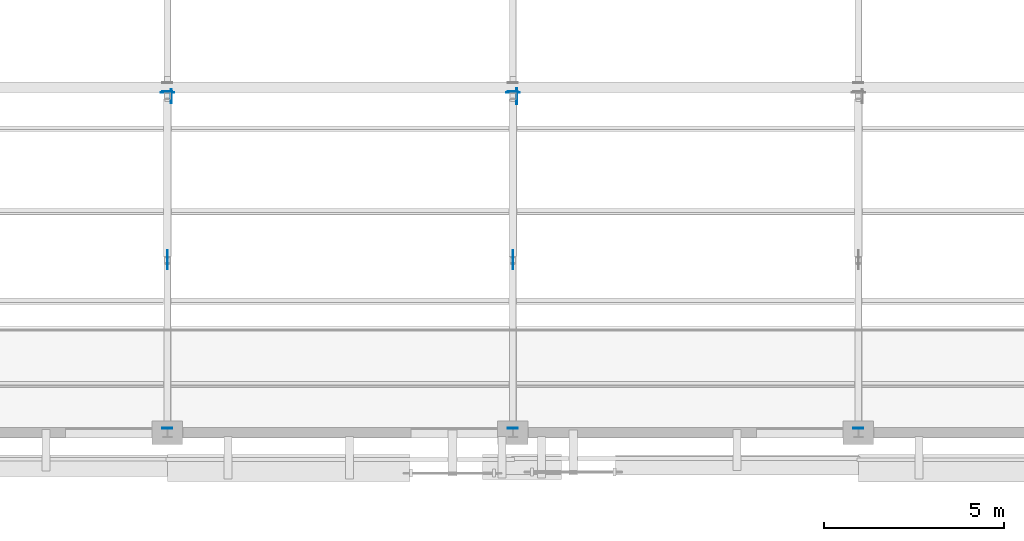
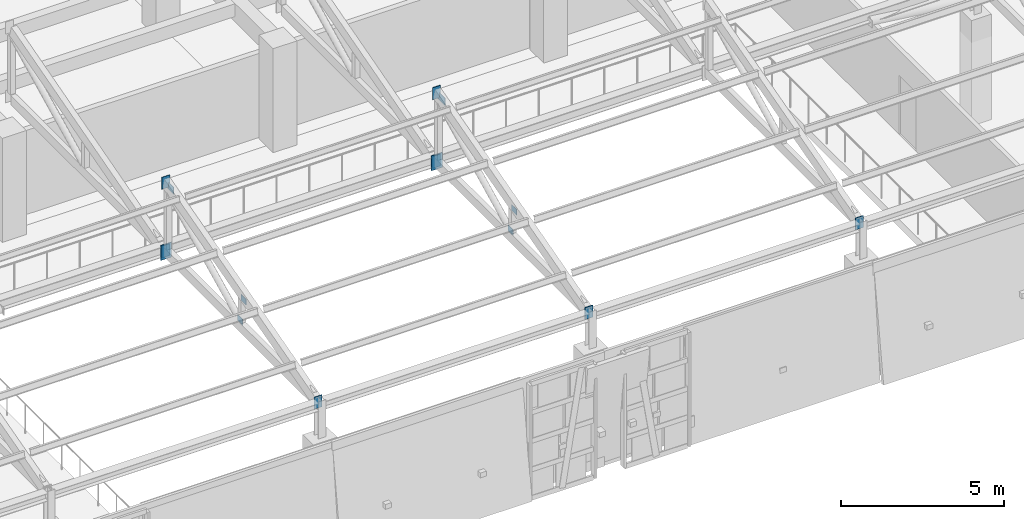
# One storey, part 39 of 58: 15 plates.
"""IFC4 building model written with IfcOpenShell, lengths in metres."""

from ifc_helpers import new_model, si_unit, direction, frame, origin, origin_2d, place, context, subcontext, project, spatial, rectangle, extrude, material, layer, layer_set, type_object, element, save


model = new_model("IFC4")

# Units and contexts
model_context = context("Model", 3, precision=1e-05, world=origin(), true_north=direction((0.0, 1.0)))
body_context = subcontext(model_context, "Body", "Model", "MODEL_VIEW")
ifc_project = project(units=[si_unit("LENGTHUNIT", "METRE"), si_unit("AREAUNIT", "SQUARE_METRE"), si_unit("VOLUMEUNIT", "CUBIC_METRE"), si_unit("PLANEANGLEUNIT", "RADIAN"), si_unit("MASSUNIT", "GRAM", prefix="KILO")], contexts=[model_context])

# Site, building, storey
site_placement = place(None, origin())
site = spatial("IfcSite", under=ifc_project, at=site_placement, CompositionType="ELEMENT")
building_placement = place(site_placement, origin())
building = spatial("IfcBuilding", under=site, at=building_placement, Name="Bempovik Park Faculty of Sciences", CompositionType="ELEMENT")
storey_placement = place(building_placement, frame((0.0, 0.0, 18.300048828125)))
storey = spatial("IfcBuildingStorey", under=building, at=storey_placement, Name="L04", CompositionType="ELEMENT", Elevation=18.300048828125)

# Plates
ifc_material = material(Name="Steel S355", Category="steel")
ifc_layer_1 = layer(ifc_material, 0.02392578125)
ifc_layer_set_1 = layer_set([ifc_layer_1], Name="Steel S355")
plate_type_1 = type_object("IfcPlateType", Name="PL-25 Steel Plate 560x380x24", PredefinedType="SHEET", material=ifc_layer_set_1)
for number, where, z_axis, x_axis, name in (
    (1, (79.199951171875, 77.251953125, 4.89990234375), (0.0, 0.0, 1.0), (1.0, 0.0, 0.0), "V2 Sawtooth Bottom Chord End Cap (79.2)"),
    (2, (88.800048828125, 77.251953125, 4.89990234375), (0.0, 0.0, 1.0), (1.0, 0.0, 0.0), "V2 Sawtooth Bottom Chord End Cap (88.8)"),
):
    element("IfcPlate", number, at=place(storey_placement, frame(where, z_axis=z_axis, x_axis=x_axis)), inside=storey, type_object=plate_type_1, Name=name, PredefinedType="SHEET", context=body_context, shape_type="SweptSolid", body=[
        extrude(rectangle(XDim=0.3798828125, YDim=0.02392578125, at=origin_2d()), origin(), (0.0, 0.0, 1.0), 0.56005859375),
    ])
ifc_layer_2 = layer(ifc_material, 0.011962890625)
ifc_layer_set_2 = layer_set([ifc_layer_2], Name="Steel S355")
plate_type_2 = type_object("IfcPlateType", Name="PL-26 Steel Plate 320x220x12", PredefinedType="SHEET", material=ifc_layer_set_2)
for number, where, z_axis, x_axis, name in (
    (3, (79.199951171875, 72.4951171875, 6.138671875), (0.0, 0.0, 1.0), (1.0, 0.0, 0.0), "Brace/Strut End Gusset Plate SAW-V2-B1-D1-792-E2"),
    (4, (79.199951171875, 72.705078125, 5.2509765625), (0.0, 0.0, 1.0), (1.0, 0.0, 0.0), "Brace/Strut End Gusset Plate SAW-V2-B1-D2-792-E1"),
    (5, (88.800048828125, 72.4951171875, 6.138671875), (0.0, 0.0, 1.0), (1.0, 0.0, 0.0), "Brace/Strut End Gusset Plate SAW-V2-B1-D1-888-E2"),
    (6, (88.800048828125, 72.705078125, 5.2509765625), (0.0, 0.0, 1.0), (1.0, 0.0, 0.0), "Brace/Strut End Gusset Plate SAW-V2-B1-D2-888-E1"),
):
    element("IfcPlate", number, at=place(storey_placement, frame(where, z_axis=z_axis, x_axis=x_axis)), inside=storey, type_object=plate_type_2, Name=name, PredefinedType="SHEET", context=body_context, shape_type="SweptSolid", body=[
        extrude(rectangle(XDim=0.011962890625, YDim=0.320068359375, at=origin_2d()), origin(), (0.0, 0.0, 1.0), 0.219970703125),
    ])
ifc_layer_3 = layer(ifc_material, 0.02001953125)
ifc_layer_set_3 = layer_set([ifc_layer_3], Name="Steel S355")
plate_type_3 = type_object("IfcPlateType", Name="PL-36 Steel Plate 450x280x20", PredefinedType="USERDEFINED", material=ifc_layer_set_3)
for number, where, z_axis, x_axis, name in (
    (7, (79.199951171875, 77.278076171875, 7.52978515625), (0.0, 0.0, 1.0), (1.0, 0.0, 0.0), "Atrium Sawtooth Rafter End Cap V2-B1-79.2"),
    (8, (79.199951171875, 67.922119140625, 4.95751953125), (0.0, 0.0, 1.0), (1.0, 0.0, 0.0), "Atrium Sawtooth Valley Rafter End Cap V2-B1-79.2"),
    (9, (79.199951171875, 77.278076171875, 4.955078125), (0.0, 0.0, 1.0), (1.0, 0.0, 0.0), "Atrium Sawtooth Bottom Chord End Cap V2-B1-79.2"),
):
    element("IfcPlate", number, at=place(storey_placement, frame(where, z_axis=z_axis, x_axis=x_axis)), inside=storey, type_object=plate_type_3, Name=name, ObjectType="STIFFENER PLATE", PredefinedType="USERDEFINED", context=body_context, shape_type="SweptSolid", body=[
        extrude(rectangle(XDim=0.280029296875, YDim=0.02001953125, at=origin_2d()), origin(), (0.0, 0.0, 1.0), 0.449951171875),
    ])
plate_1_placement = place(storey_placement, frame((88.907958984375, 77.14990234375, 7.4345703125), z_axis=(0.0, 0.0, 1.0), x_axis=(1.0, 0.0, 0.0)))
element("IfcPlate", 10, at=plate_1_placement, inside=storey, type_object=plate_type_3, Name="Sawtooth Ridge Gusset Plate V2-B1-88.8", ObjectType="STIFFENER PLATE", PredefinedType="USERDEFINED", context=body_context, shape_type="SweptSolid", body=[
    extrude(rectangle(XDim=0.02001953125, YDim=0.449951171875, at=origin_2d()), origin(), (0.0, 0.0, 1.0), 0.280029296875),
])
for number, where, z_axis, x_axis, name in (
    (11, (88.800048828125, 77.278076171875, 7.52978515625), (0.0, 0.0, 1.0), (1.0, 0.0, 0.0), "Atrium Sawtooth Rafter End Cap V2-B1-88.8"),
    (12, (88.800048828125, 67.922119140625, 4.95751953125), (0.0, 0.0, 1.0), (1.0, 0.0, 0.0), "Atrium Sawtooth Valley Rafter End Cap V2-B1-88.8"),
    (13, (88.800048828125, 77.278076171875, 4.955078125), (0.0, 0.0, 1.0), (1.0, 0.0, 0.0), "Atrium Sawtooth Bottom Chord End Cap V2-B1-88.8"),
    (14, (98.39990234375, 67.922119140625, 4.95751953125), (0.0, 0.0, 1.0), (1.0, 0.0, 0.0), "Atrium Sawtooth Valley Rafter End Cap V2-B1-98.4"),
):
    element("IfcPlate", number, at=place(storey_placement, frame(where, z_axis=z_axis, x_axis=x_axis)), inside=storey, type_object=plate_type_3, Name=name, ObjectType="STIFFENER PLATE", PredefinedType="USERDEFINED", context=body_context, shape_type="SweptSolid", body=[
        extrude(rectangle(XDim=0.280029296875, YDim=0.02001953125, at=origin_2d()), origin(), (0.0, 0.0, 1.0), 0.449951171875),
    ])
ifc_layer_4 = layer(ifc_material, 0.01611328125)
ifc_layer_set_4 = layer_set([ifc_layer_4], Name="Steel S355")
plate_type_4 = type_object("IfcPlateType", Name="PL-50 Steel Plate 380x260x16", PredefinedType="SHEET", material=ifc_layer_set_4)
plate_2_placement = place(storey_placement, frame((79.305908203125, 77.14990234375, 7.4443359375), z_axis=(0.0, 0.0, 1.0), x_axis=(1.0, 0.0, 0.0)))
element("IfcPlate", 15, at=plate_2_placement, inside=storey, type_object=plate_type_4, Name="Sawtooth Ridge Gusset Plate V2-B1-79.2", PredefinedType="SHEET", context=body_context, shape_type="SweptSolid", body=[
    extrude(rectangle(XDim=0.01611328125, YDim=0.3798828125, at=origin_2d()), origin(), (0.0, 0.0, 1.0), 0.260009765625),
])

save(model, "model.ifc")
